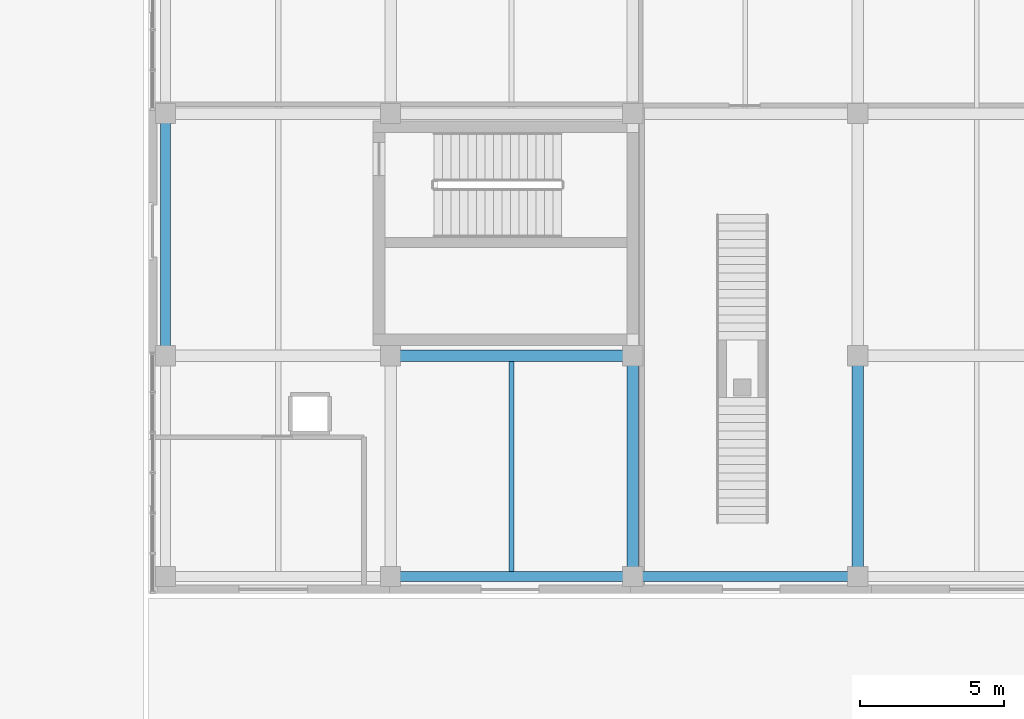
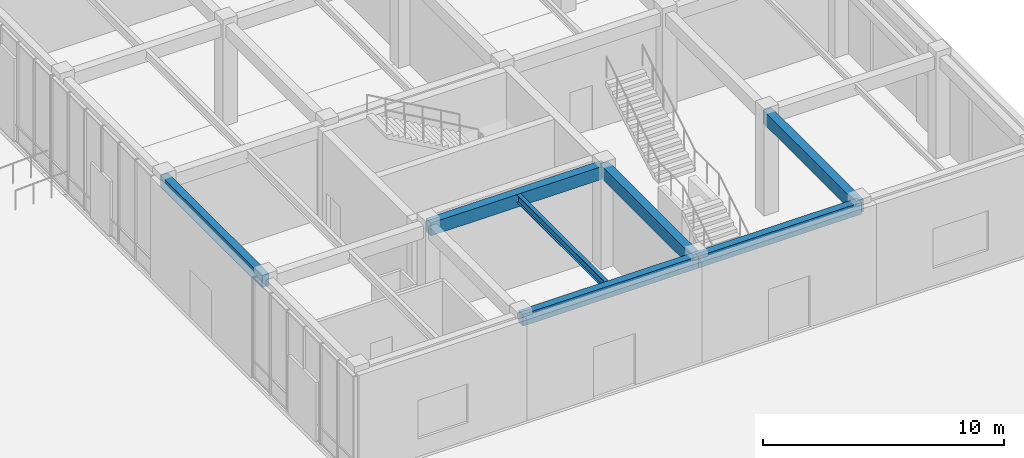
# One storey, part 28 of 122: 7 beams.
"""IFC4 building model written with IfcOpenShell, lengths in metres."""

from ifc_helpers import new_model, si_unit, direction, frame, origin, origin_2d, place, context, subcontext, project, spatial, rectangle, i_section, extrude, material, material_profile, profile_set, type_object, element, save


model = new_model("IFC4")

# Units and contexts
model_context = context("Model", 3, precision=1e-05, world=origin(), true_north=direction((0.0, 1.0)))
body_context = subcontext(model_context, "Body", "Model", "MODEL_VIEW")
ifc_project = project(units=[si_unit("LENGTHUNIT", "METRE"), si_unit("AREAUNIT", "SQUARE_METRE"), si_unit("VOLUMEUNIT", "CUBIC_METRE"), si_unit("PLANEANGLEUNIT", "RADIAN"), si_unit("MASSUNIT", "GRAM", prefix="KILO")], contexts=[model_context])

# Site, building, storey
site_placement = place(None, origin())
site = spatial("IfcSite", under=ifc_project, at=site_placement, CompositionType="ELEMENT")
building_placement = place(site_placement, origin())
building = spatial("IfcBuilding", under=site, at=building_placement, Name="Zayran Congress Hotel", CompositionType="ELEMENT")
storey_placement = place(building_placement, origin())
storey = spatial("IfcBuildingStorey", under=building, at=storey_placement, Name="L00", CompositionType="ELEMENT", Elevation=0.0)

# Beams
ifc_material_1 = material(Name="Concrete C40/50", Category="concrete")
ifc_material_profile_1 = material_profile(ifc_material_1, rectangle(XDim=0.39990234375, YDim=0.64990234375, at=origin_2d()), Name="RC 400x650")
ifc_profile_set_1 = profile_set([ifc_material_profile_1], Name="Concrete C40/50")
beam_type_1 = type_object("IfcBeamType", Name="TP-BM-03", PredefinedType="BEAM", material=ifc_profile_set_1)
beam_1_placement = place(storey_placement, frame((117.60009765625, 50.800048828125, 4.77490234375), z_axis=(1.0, 0.0, 0.0), x_axis=(0.0, 1.0, 0.0)))
element("IfcBeam", 1, at=beam_1_placement, inside=storey, type_object=beam_type_1, Name="BM-V4-L00-1212", PredefinedType="BEAM", context=body_context, shape_type="SweptSolid", body=[
    extrude(rectangle(XDim=0.39990234375, YDim=0.64990234375, at=origin_2d()), origin(), (0.0, 0.0, 1.0), 8.39990234375),
])
for number, where, z_axis, x_axis, name in (
    (2, (126.0, 43.14990234375, 4.77490234375), (0.0, 1.0, 0.0), (-1.0, 0.0, 0.0), "BM-V4-L00-1256"),
    (3, (133.800048828125, 43.14990234375, 4.77490234375), (0.0, 1.0, 0.0), (-1.0, 0.0, 0.0), "BM-V4-L00-1264"),
):
    element("IfcBeam", number, at=place(storey_placement, frame(where, z_axis=z_axis, x_axis=x_axis)), inside=storey, type_object=beam_type_1, Name=name, PredefinedType="BEAM", context=body_context, shape_type="SweptSolid", body=[
        extrude(rectangle(XDim=0.39990234375, YDim=0.64990234375, at=origin_2d()), origin(), (0.0, 0.0, 1.0), 7.650146484375),
    ])
ifc_material_profile_2 = material_profile(ifc_material_1, rectangle(XDim=0.35009765625, YDim=0.60009765625, at=origin_2d()), Name="RC 350x600")
ifc_profile_set_2 = profile_set([ifc_material_profile_2], Name="Concrete C40/50")
beam_type_2 = type_object("IfcBeamType", Name="TP-SP-01", PredefinedType="SPANDREL", material=ifc_profile_set_2)
beam_2_placement = place(storey_placement, frame((117.60009765625, 43.14990234375, 4.800048828125), z_axis=(1.0, 0.0, 0.0), x_axis=(0.0, 1.0, 0.0)))
element("IfcBeam", 4, at=beam_2_placement, inside=storey, type_object=beam_type_2, Name="BM-V4-L00-1208", PredefinedType="SPANDREL", context=body_context, shape_type="SweptSolid", body=[
    extrude(rectangle(XDim=0.35009765625, YDim=0.60009765625, at=origin_2d()), origin(), (0.0, 0.0, 1.0), 8.39990234375),
])
beam_3_placement = place(storey_placement, frame((126.0, 43.14990234375, 4.800048828125), z_axis=(1.0, 0.0, 0.0), x_axis=(0.0, 1.0, 0.0)))
element("IfcBeam", 5, at=beam_3_placement, inside=storey, type_object=beam_type_2, Name="BM-V4-L00-1209", PredefinedType="SPANDREL", context=body_context, shape_type="SweptSolid", body=[
    extrude(rectangle(XDim=0.35009765625, YDim=0.60009765625, at=origin_2d()), origin(), (0.0, 0.0, 1.0), 7.800048828125),
])
beam_4_placement = place(storey_placement, frame((109.800048828125, 50.800048828125, 4.800048828125), z_axis=(0.0, 1.0, 0.0), x_axis=(-1.0, 0.0, 0.0)))
element("IfcBeam", 6, at=beam_4_placement, inside=storey, type_object=beam_type_2, Name="BM-V4-L00-1243", PredefinedType="SPANDREL", context=body_context, shape_type="SweptSolid", body=[
    extrude(rectangle(XDim=0.35009765625, YDim=0.60009765625, at=origin_2d()), origin(), (0.0, 0.0, 1.0), 8.39990234375),
])
ifc_material_2 = material(Name="Steel S355", Category="steel")
ifc_material_profile_3 = material_profile(ifc_material_2, i_section(OverallWidth=0.179931640625, OverallDepth=0.39990234375, WebThickness=0.008544921875, FlangeThickness=0.013427734375, at=origin_2d()), Name="IPE 400")
ifc_profile_set_3 = profile_set([ifc_material_profile_3], Name="Steel S355")
beam_type_3 = type_object("IfcBeamType", Name="TP-JS-03", PredefinedType="JOIST", material=ifc_profile_set_3)
beam_5_placement = place(storey_placement, frame((121.800048828125, 43.324951171875, 4.89990234375), z_axis=(0.0, 1.0, 0.0), x_axis=(-1.0, 0.0, 0.0)))
element("IfcBeam", 7, at=beam_5_placement, inside=storey, type_object=beam_type_3, Name="JST-V4-L00-1288", PredefinedType="JOIST", context=body_context, shape_type="SweptSolid", body=[
    extrude(i_section(OverallWidth=0.179931640625, OverallDepth=0.39990234375, WebThickness=0.008544921875, FlangeThickness=0.013427734375, at=origin_2d()), origin(), (0.0, 0.0, 1.0), 7.275146484375),
])

save(model, "model.ifc")
